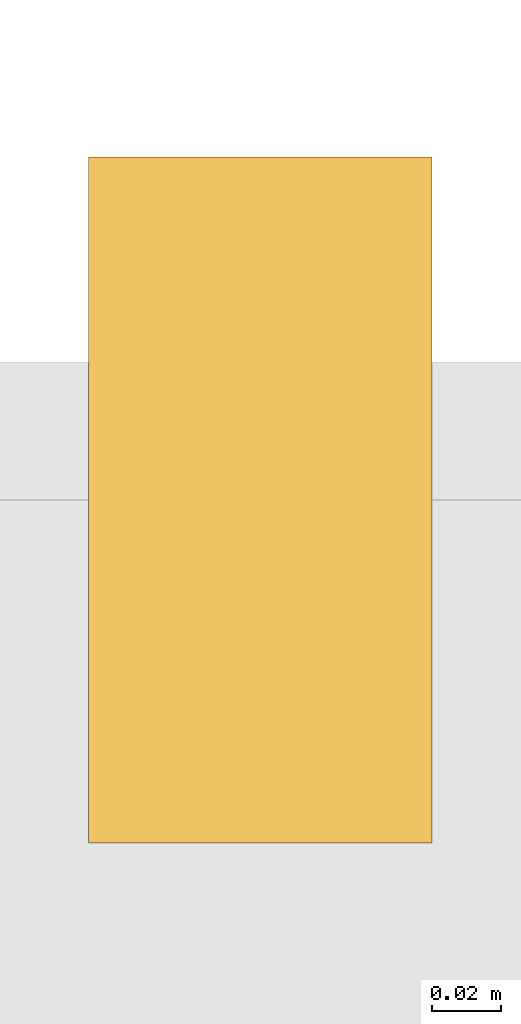
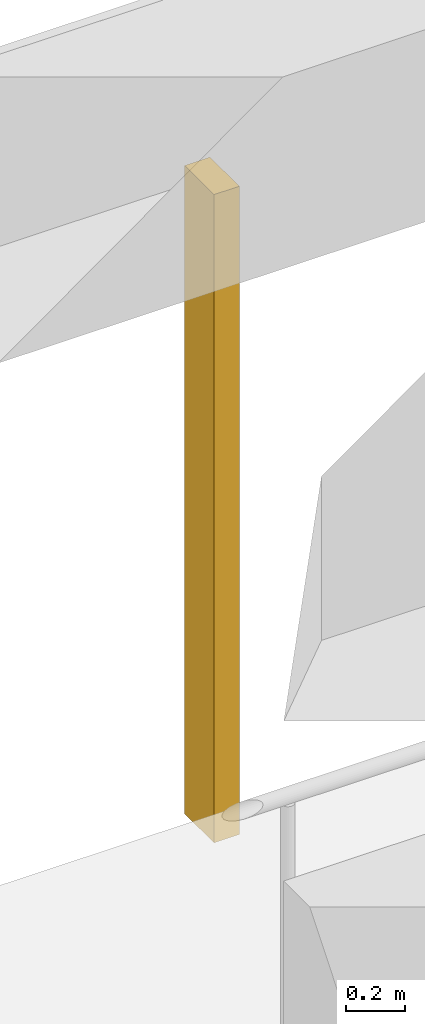
# One storey, part 15 of 22: 1 shading device.
"""IFC4 building model written with IfcOpenShell, lengths in metres."""

from ifc_helpers import new_model, si_unit, direction, frame, origin, origin_2d, place, context, subcontext, project, spatial, rectangle, extrude, material, material_profile, profile_set, type_object, element, save


model = new_model("IFC4")

# Units and contexts
model_context = context("Model", 3, precision=1e-05, world=origin(), true_north=direction((0.0, 1.0)))
body_context = subcontext(model_context, "Body", "Model", "MODEL_VIEW")
ifc_project = project(units=[si_unit("LENGTHUNIT", "METRE"), si_unit("AREAUNIT", "SQUARE_METRE"), si_unit("VOLUMEUNIT", "CUBIC_METRE"), si_unit("PLANEANGLEUNIT", "RADIAN"), si_unit("MASSUNIT", "GRAM", prefix="KILO")], contexts=[model_context])

# Site, building, storey
site_placement = place(None, origin())
site = spatial("IfcSite", under=ifc_project, at=site_placement, CompositionType="ELEMENT")
building_placement = place(site_placement, origin())
building = spatial("IfcBuilding", under=site, at=building_placement, Name="Vermilion Gate Residences", CompositionType="ELEMENT")
storey_placement = place(building_placement, frame((0.0, 0.0, 60.199951171875)))
storey = spatial("IfcBuildingStorey", under=building, at=storey_placement, Name="L14", CompositionType="ELEMENT", Elevation=60.199951171875)

# Shading device
ifc_material = material(Name="Extruded terracotta", Category="masonry")
ifc_material_profile = material_profile(ifc_material, rectangle(XDim=0.199951171875, YDim=0.10009765625, at=origin_2d()), Name="BAGUETTE 100 X 200")
ifc_profile_set = profile_set([ifc_material_profile], Name="Extruded terracotta")
shading_device_type = type_object("IfcShadingDeviceType", Name="TERRACOTTA BAGUETTE 100 X 200", PredefinedType="JALOUSIE", material=ifc_profile_set)
shading_device_placement = place(storey_placement, frame((63.0, 25.5, -0.280029296875), z_axis=(0.0, 0.0, 1.0), x_axis=(0.0, -1.0, 0.0)))
element("IfcShadingDevice", 1, at=shading_device_placement, inside=storey, type_object=shading_device_type, Name="BAGUETTE", PredefinedType="JALOUSIE", context=body_context, shape_type="SweptSolid", body=[
    extrude(rectangle(XDim=0.199951171875, YDim=0.10009765625, at=origin_2d()), origin(), (0.0, 0.0, 1.0), 2.7001953125),
])

save(model, "model.ifc")
